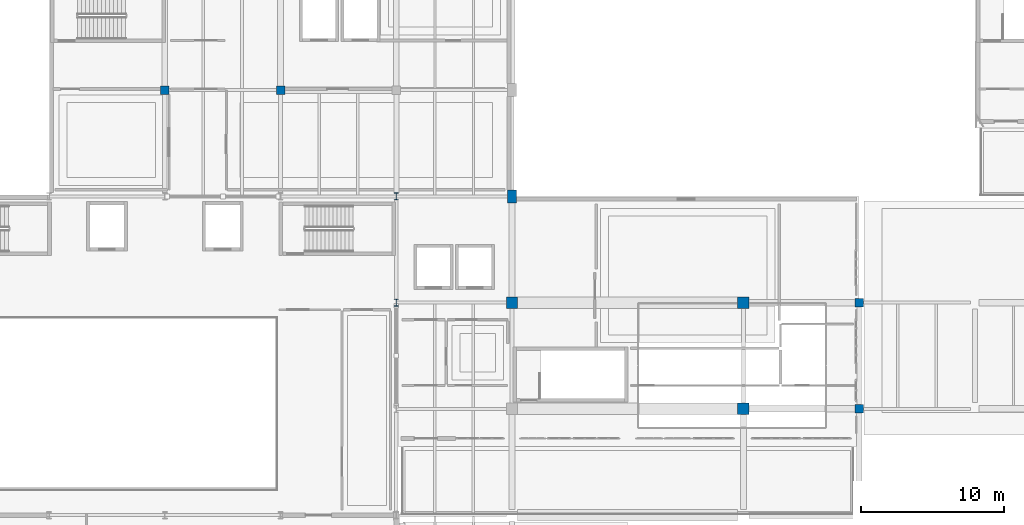
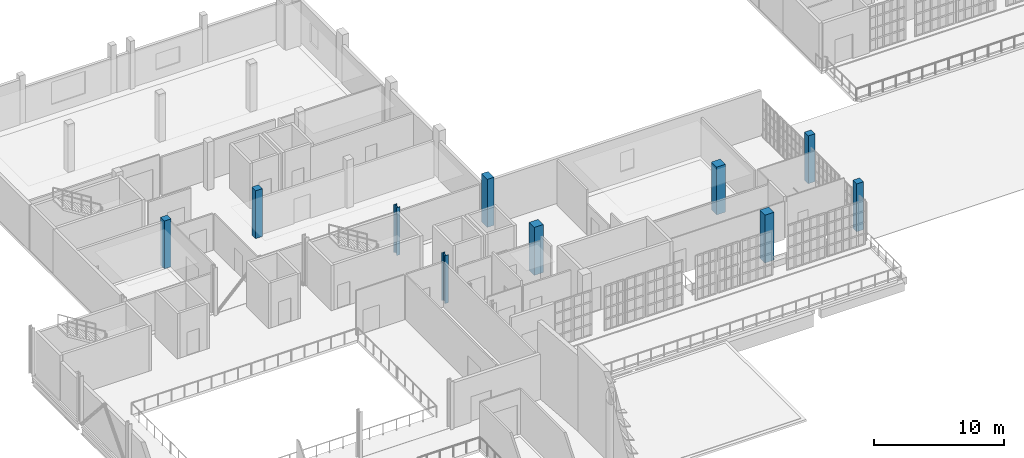
# One storey, part 3 of 56: 10 columns.
"""IFC4 building model written with IfcOpenShell, lengths in metres."""

from ifc_helpers import new_model, si_unit, direction, frame, origin, origin_2d, place, context, subcontext, project, spatial, rectangle, i_section, extrude, material, material_profile, profile_set, type_object, element, save


model = new_model("IFC4")

# Units and contexts
model_context = context("Model", 3, precision=1e-05, world=origin(), true_north=direction((0.0, 1.0)))
body_context = subcontext(model_context, "Body", "Model", "MODEL_VIEW")
ifc_project = project(units=[si_unit("LENGTHUNIT", "METRE"), si_unit("AREAUNIT", "SQUARE_METRE"), si_unit("VOLUMEUNIT", "CUBIC_METRE"), si_unit("PLANEANGLEUNIT", "RADIAN"), si_unit("MASSUNIT", "GRAM", prefix="KILO")], contexts=[model_context])

# Site, building, storey
site_placement = place(None, origin())
site = spatial("IfcSite", under=ifc_project, at=site_placement, CompositionType="ELEMENT")
building_placement = place(site_placement, origin())
building = spatial("IfcBuilding", under=site, at=building_placement, Name="Kaelora Sail Theatre", CompositionType="ELEMENT")
storey_placement = place(building_placement, frame((0.0, 0.0, 14.699951171875)))
storey = spatial("IfcBuildingStorey", under=building, at=storey_placement, Name="L03", CompositionType="ELEMENT", Elevation=14.699951171875)

# Columns
ifc_material_1 = material(Name="Steel S355", Category="steel")
ifc_material_profile_1 = material_profile(ifc_material_1, i_section(OverallWidth=0.300048828125, OverallDepth=0.5, WebThickness=0.014404296875, FlangeThickness=0.028076171875, FilletRadius=0.027099609375, at=origin_2d()), Name="HEB 500")
ifc_profile_set_1 = profile_set([ifc_material_profile_1], Name="Steel S355")
column_type_1 = type_object("IfcColumnType", Name="STR-COL-C-HEB500", PredefinedType="COLUMN", material=ifc_profile_set_1)
for number, where, z_axis, x_axis, name in (
    (1, (58.199951171875, 75.89990234375, 0.0), (0.0, 0.0, 1.0), (1.0, 0.0, 0.0), "Column 8/K (L03)"),
    (2, (58.199951171875, 83.340087890625, 0.0), (0.0, 0.0, 1.0), (1.0, 0.0, 0.0), "Column 8/L (L03)"),
):
    element("IfcColumn", number, at=place(storey_placement, frame(where, z_axis=z_axis, x_axis=x_axis)), inside=storey, type_object=column_type_1, Name=name, PredefinedType="COLUMN", context=body_context, shape_type="SweptSolid", body=[
        extrude(i_section(OverallWidth=0.300048828125, OverallDepth=0.5, WebThickness=0.014404296875, FlangeThickness=0.028076171875, FilletRadius=0.027099609375, at=origin_2d()), origin(), (0.0, 0.0, 1.0), 4.5),
    ])
ifc_material_2 = material(Name="Concrete C40/50", Category="concrete")
ifc_material_profile_2 = material_profile(ifc_material_2, rectangle(XDim=0.60009765625, YDim=0.60009765625, at=origin_2d()), Name="RC-COL 600x600")
ifc_profile_set_2 = profile_set([ifc_material_profile_2], Name="Concrete C40/50")
column_type_2 = type_object("IfcColumnType", Name="STR-COL-C-RC600", PredefinedType="COLUMN", material=ifc_profile_set_2)
for number, where, z_axis, x_axis, name in (
    (3, (42.0, 90.780029296875, 0.0), (0.0, 0.0, 1.0), (1.0, 0.0, 0.0), "Column 6/M (L03)"),
    (4, (50.10009765625, 90.780029296875, 0.0), (0.0, 0.0, 1.0), (1.0, 0.0, 0.0), "Column 7/M (L03)"),
    (5, (90.60009765625, 68.4599609375, 0.0), (0.0, 0.0, 1.0), (1.0, 0.0, 0.0), "Column 12/J (L03)"),
    (6, (90.60009765625, 75.89990234375, 0.0), (0.0, 0.0, 1.0), (1.0, 0.0, 0.0), "Column 12/K (L03)"),
):
    element("IfcColumn", number, at=place(storey_placement, frame(where, z_axis=z_axis, x_axis=x_axis)), inside=storey, type_object=column_type_2, Name=name, PredefinedType="COLUMN", context=body_context, shape_type="SweptSolid", body=[
        extrude(rectangle(XDim=0.60009765625, YDim=0.60009765625, at=origin_2d()), origin(), (0.0, 0.0, 1.0), 4.5),
    ])
ifc_material_3 = material(Name="Concrete C45/55", Category="concrete")
ifc_material_profile_3 = material_profile(ifc_material_3, rectangle(XDim=0.60009765625, YDim=0.89990234375, at=origin_2d()), Name="RC-COL 600x900")
ifc_profile_set_3 = profile_set([ifc_material_profile_3], Name="Concrete C45/55")
column_type_3 = type_object("IfcColumnType", Name="STR-COL-C-RC6090", PredefinedType="COLUMN", material=ifc_profile_set_3)
column_placement = place(storey_placement, frame((66.300048828125, 83.340087890625, 0.0), z_axis=(0.0, 0.0, 1.0), x_axis=(1.0, 0.0, 0.0)))
element("IfcColumn", 7, at=column_placement, inside=storey, type_object=column_type_3, Name="Column 9/L (L03)", PredefinedType="COLUMN", context=body_context, shape_type="SweptSolid", body=[
    extrude(rectangle(XDim=0.60009765625, YDim=0.89990234375, at=origin_2d()), origin(), (0.0, 0.0, 1.0), 4.5),
])
ifc_material_4 = material(Name="Concrete C50/60", Category="concrete")
ifc_material_profile_4 = material_profile(ifc_material_4, rectangle(XDim=0.800048828125, YDim=0.800048828125, at=origin_2d()), Name="RC-COL 800x800")
ifc_profile_set_4 = profile_set([ifc_material_profile_4], Name="Concrete C50/60")
column_type_4 = type_object("IfcColumnType", Name="STR-COL-C-RC800", PredefinedType="COLUMN", material=ifc_profile_set_4)
for number, where, z_axis, x_axis, name in (
    (8, (66.300048828125, 75.89990234375, 0.0), (0.0, 0.0, 1.0), (1.0, 0.0, 0.0), "Column 9/K (L03)"),
    (9, (82.5, 68.4599609375, 0.0), (0.0, 0.0, 1.0), (1.0, 0.0, 0.0), "Column 11/J (L03)"),
    (10, (82.5, 75.89990234375, 0.0), (0.0, 0.0, 1.0), (1.0, 0.0, 0.0), "Column 11/K (L03)"),
):
    element("IfcColumn", number, at=place(storey_placement, frame(where, z_axis=z_axis, x_axis=x_axis)), inside=storey, type_object=column_type_4, Name=name, PredefinedType="COLUMN", context=body_context, shape_type="SweptSolid", body=[
        extrude(rectangle(XDim=0.800048828125, YDim=0.800048828125, at=origin_2d()), origin(), (0.0, 0.0, 1.0), 4.5),
    ])

save(model, "model.ifc")
